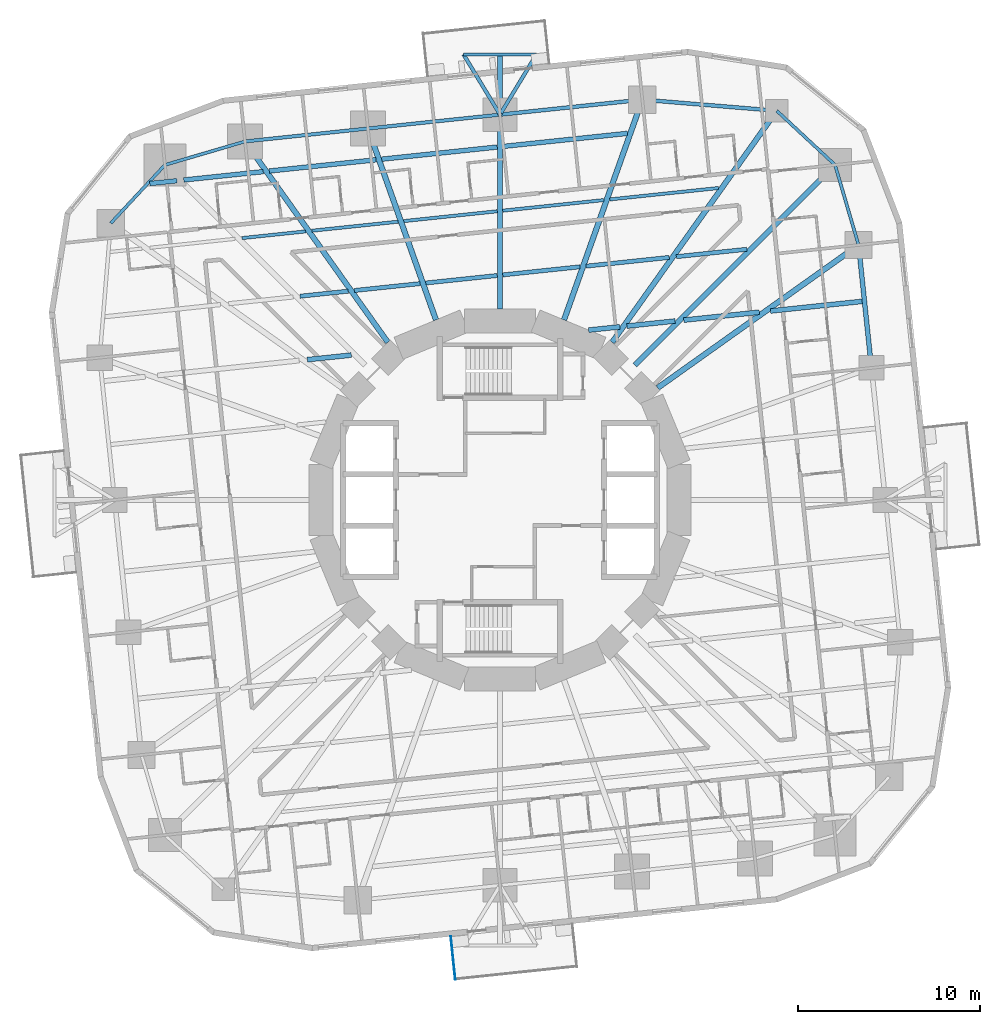
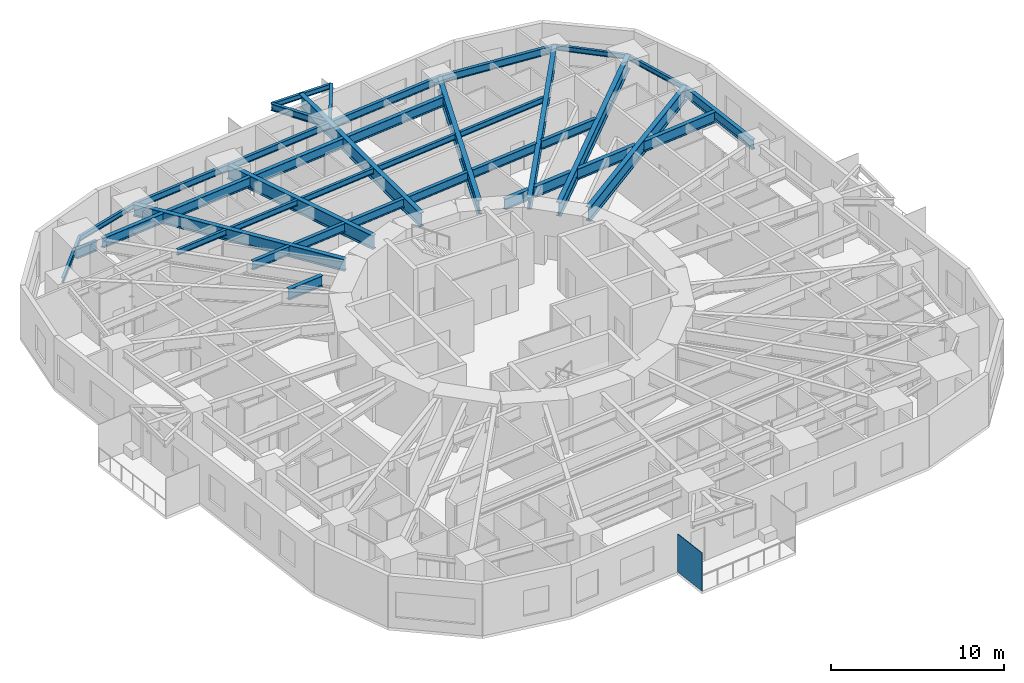
# One storey, part 3 of 13: 40 beams, 1 plate.
"""IFC4 building model written with IfcOpenShell, lengths in metres."""

from ifc_helpers import new_model, si_unit, direction, frame, origin, origin_2d, place, context, subcontext, project, spatial, rectangle, i_section, extrude, material, layer, layer_set, material_profile, profile_set, type_object, element, save


model = new_model("IFC4")

# Units and contexts
model_context = context("Model", 3, precision=1e-05, world=origin(), true_north=direction((0.0, 1.0)))
body_context = subcontext(model_context, "Body", "Model", "MODEL_VIEW")
ifc_project = project(units=[si_unit("LENGTHUNIT", "METRE"), si_unit("AREAUNIT", "SQUARE_METRE"), si_unit("VOLUMEUNIT", "CUBIC_METRE"), si_unit("PLANEANGLEUNIT", "RADIAN"), si_unit("MASSUNIT", "GRAM", prefix="KILO")], contexts=[model_context])

# Site, building, storey
site_placement = place(None, origin())
site = spatial("IfcSite", under=ifc_project, at=site_placement, CompositionType="ELEMENT")
building_placement = place(site_placement, origin())
building = spatial("IfcBuilding", under=site, at=building_placement, Name="Nakasero Lantern House", CompositionType="ELEMENT")
storey_placement = place(building_placement, frame((0.0, 0.0, 79.75)))
storey = spatial("IfcBuildingStorey", under=building, at=storey_placement, Name="L19", CompositionType="ELEMENT", Elevation=79.75)

# Beams
ifc_material_1 = material(Name="Steel S355", Category="steel")
ifc_material_profile_1 = material_profile(ifc_material_1, i_section(OverallWidth=0.199462890625, OverallDepth=0.491943359375, WebThickness=0.01806640625, FlangeThickness=0.031982421875, FilletRadius=0.01025390625, at=origin_2d()), Name="UB 457x191x161")
ifc_profile_set_1 = profile_set([ifc_material_profile_1], Name="Steel S355")
beam_type_1 = type_object("IfcBeamType", Name="Balcony splay beam UB 457x191x161", PredefinedType="BEAM", material=ifc_profile_set_1)
for number, where, z_axis, x_axis, name in (
    (1, (0.0, 21.11572265625, 3.404052734375), (-0.518296107317, 0.855201230787, 0.0), (-0.855201230787, -0.518296107317, 0.0), "Balcony splay beam L20 B2-C09A"),
    (2, (0.0, 21.11572265625, 3.404052734375), (0.518296107317, 0.855201230787, 0.0), (-0.855201230787, 0.518296107317, 0.0), "Balcony splay beam L20 B2-C09B"),
):
    element("IfcBeam", number, at=place(storey_placement, frame(where, z_axis=z_axis, x_axis=x_axis)), inside=storey, type_object=beam_type_1, Name=name, PredefinedType="BEAM", context=body_context, shape_type="SweptSolid", body=[
        extrude(i_section(OverallWidth=0.199462890625, OverallDepth=0.491943359375, WebThickness=0.01806640625, FlangeThickness=0.031982421875, FilletRadius=0.01025390625, at=origin_2d()), origin(), (0.0, 0.0, 1.0), 3.85888671875),
    ])
ifc_material_2 = material(Name="Steel S355", Category="steel")
ifc_material_profile_2 = material_profile(ifc_material_2, i_section(OverallWidth=0.17138671875, OverallDepth=0.35498046875, WebThickness=0.00732421875, FlangeThickness=0.011474609375, FilletRadius=0.01025390625, at=origin_2d()), Name="UB 356x171x51")
ifc_profile_set_2 = profile_set([ifc_material_profile_2], Name="Steel S355")
beam_type_2 = type_object("IfcBeamType", Name="Balcony tie beam UB 356x171x51", PredefinedType="BEAM", material=ifc_profile_set_2)
beam_1_placement = place(storey_placement, frame((-2.0, 24.415771484375, 3.472412109375), z_axis=(1.0, 0.0, 0.0), x_axis=(0.0, 1.0, 0.0)))
element("IfcBeam", 3, at=beam_1_placement, inside=storey, type_object=beam_type_2, Name="Balcony tie beam L20 B2-C09", PredefinedType="BEAM", context=body_context, shape_type="SweptSolid", body=[
    extrude(i_section(OverallWidth=0.17138671875, OverallDepth=0.35498046875, WebThickness=0.00732421875, FlangeThickness=0.011474609375, FilletRadius=0.01025390625, at=origin_2d()), origin(), (0.0, 0.0, 1.0), 4.0),
])
ifc_material_3 = material(Name="Steel S355", Category="steel")
ifc_material_profile_3 = material_profile(ifc_material_3, i_section(OverallWidth=0.177978515625, OverallDepth=0.406494140625, WebThickness=0.0078125, FlangeThickness=0.0126953125, FilletRadius=0.01025390625, at=origin_2d()), Name="UB 406x178x60")
ifc_profile_set_3 = profile_set([ifc_material_profile_3], Name="Steel S355")
beam_type_3 = type_object("IfcBeamType", Name="Infill beam UB 406x178x60", PredefinedType="JOIST", material=ifc_profile_set_3)
beam_2_placement = place(storey_placement, frame((-14.1435546875, 14.35009765625, 3.44677734375), z_axis=(0.994521415391, 0.104533029842, 0.0), x_axis=(-0.104533029842, 0.994521415391, 0.0)))
element("IfcBeam", 4, at=beam_2_placement, inside=storey, type_object=beam_type_3, Name="Infill beam L20 12.3", PredefinedType="JOIST", context=body_context, shape_type="SweptSolid", body=[
    extrude(i_section(OverallWidth=0.177978515625, OverallDepth=0.406494140625, WebThickness=0.0078125, FlangeThickness=0.0126953125, FilletRadius=0.01025390625, at=origin_2d()), origin(), (0.0, 0.0, 1.0), 3.517333984375),
])
beam_3_placement = place(storey_placement, frame((-10.3115234375, 14.7529296875, 3.44677734375), z_axis=(0.994523439889, 0.104513767091, 0.0), x_axis=(-0.104513767091, 0.994523439889, 0.0)))
element("IfcBeam", 5, at=beam_3_placement, inside=storey, type_object=beam_type_3, Name="Infill beam L20 12.4", PredefinedType="JOIST", context=body_context, shape_type="SweptSolid", body=[
    extrude(i_section(OverallWidth=0.177978515625, OverallDepth=0.406494140625, WebThickness=0.0078125, FlangeThickness=0.0126953125, FilletRadius=0.01025390625, at=origin_2d()), origin(), (0.0, 0.0, 1.0), 4.756103515625),
])
beam_4_placement = place(storey_placement, frame((-5.2744140625, 15.282470703125, 3.44677734375), z_axis=(0.994522574566, 0.104522000929, 0.0), x_axis=(-0.104522000929, 0.994522574566, 0.0)))
element("IfcBeam", 6, at=beam_4_placement, inside=storey, type_object=beam_type_3, Name="Infill beam L20 12.5", PredefinedType="JOIST", context=body_context, shape_type="SweptSolid", body=[
    extrude(i_section(OverallWidth=0.177978515625, OverallDepth=0.406494140625, WebThickness=0.0078125, FlangeThickness=0.0126953125, FilletRadius=0.01025390625, at=origin_2d()), origin(), (0.0, 0.0, 1.0), 5.15283203125),
])
beam_5_placement = place(storey_placement, frame((0.14990234375, 15.8525390625, 3.44677734375), z_axis=(0.994524188375, 0.104506644464, 0.0), x_axis=(-0.104506644464, 0.994524188375, 0.0)))
element("IfcBeam", 7, at=beam_5_placement, inside=storey, type_object=beam_type_3, Name="Infill beam L20 12.6", PredefinedType="JOIST", context=body_context, shape_type="SweptSolid", body=[
    extrude(i_section(OverallWidth=0.177978515625, OverallDepth=0.406494140625, WebThickness=0.0078125, FlangeThickness=0.0126953125, FilletRadius=0.01025390625, at=origin_2d()), origin(), (0.0, 0.0, 1.0), 5.564697265625),
])
beam_6_placement = place(storey_placement, frame((6.014892578125, 16.468994140625, 3.44677734375), z_axis=(0.994521729164, 0.104530044579, 0.0), x_axis=(-0.104530044579, 0.994521729164, 0.0)))
element("IfcBeam", 8, at=beam_6_placement, inside=storey, type_object=beam_type_3, Name="Infill beam L20 12.7", PredefinedType="JOIST", context=body_context, shape_type="SweptSolid", body=[
    extrude(i_section(OverallWidth=0.177978515625, OverallDepth=0.406494140625, WebThickness=0.0078125, FlangeThickness=0.0126953125, FilletRadius=0.01025390625, at=origin_2d()), origin(), (0.0, 0.0, 1.0), 5.99560546875),
])
ifc_material_4 = material(Name="Steel S355", Category="steel")
ifc_material_profile_4 = material_profile(ifc_material_4, i_section(OverallWidth=0.22900390625, OverallDepth=0.6123046875, WebThickness=0.011962890625, FlangeThickness=0.01953125, FilletRadius=0.0126953125, at=origin_2d()), Name="UB 610x229x125")
ifc_profile_set_4 = profile_set([ifc_material_profile_4], Name="Steel S355")
beam_type_4 = type_object("IfcBeamType", Name="Infill beam UB 610x229x125", PredefinedType="JOIST", material=ifc_profile_set_4)
beam_7_placement = place(storey_placement, frame((-10.958984375, 11.165771484375, 3.343994140625), z_axis=(0.994526079282, 0.104488648322, 0.0), x_axis=(-0.104488648322, 0.994526079282, 0.0)))
element("IfcBeam", 9, at=beam_7_placement, inside=storey, type_object=beam_type_4, Name="Infill beam L20 11.3", PredefinedType="JOIST", context=body_context, shape_type="SweptSolid", body=[
    extrude(i_section(OverallWidth=0.22900390625, OverallDepth=0.6123046875, WebThickness=0.011962890625, FlangeThickness=0.01953125, FilletRadius=0.0126953125, at=origin_2d()), origin(), (0.0, 0.0, 1.0), 2.65673828125),
])
beam_8_placement = place(storey_placement, frame((-7.983154296875, 11.478515625, 3.343994140625), z_axis=(0.994523507044, 0.104513128058, 0.0), x_axis=(-0.104513128058, 0.994523507044, 0.0)))
element("IfcBeam", 10, at=beam_8_placement, inside=storey, type_object=beam_type_4, Name="Infill beam L20 11.4", PredefinedType="JOIST", context=body_context, shape_type="SweptSolid", body=[
    extrude(i_section(OverallWidth=0.22900390625, OverallDepth=0.6123046875, WebThickness=0.011962890625, FlangeThickness=0.01953125, FilletRadius=0.0126953125, at=origin_2d()), origin(), (0.0, 0.0, 1.0), 3.627685546875),
])
beam_9_placement = place(storey_placement, frame((-4.068359375, 11.889892578125, 3.343994140625), z_axis=(0.994521399206, 0.104533183829, 0.0), x_axis=(-0.104533183829, 0.994521399206, 0.0)))
element("IfcBeam", 11, at=beam_9_placement, inside=storey, type_object=beam_type_4, Name="Infill beam L20 11.5", PredefinedType="JOIST", context=body_context, shape_type="SweptSolid", body=[
    extrude(i_section(OverallWidth=0.22900390625, OverallDepth=0.6123046875, WebThickness=0.011962890625, FlangeThickness=0.01953125, FilletRadius=0.0126953125, at=origin_2d()), origin(), (0.0, 0.0, 1.0), 3.93994140625),
])
beam_10_placement = place(storey_placement, frame((0.14990234375, 12.333251953125, 3.343994140625), z_axis=(0.994521465317, 0.104532554847, 0.0), x_axis=(-0.104532554847, 0.994521465317, 0.0)))
element("IfcBeam", 12, at=beam_10_placement, inside=storey, type_object=beam_type_4, Name="Infill beam L20 11.6", PredefinedType="JOIST", context=body_context, shape_type="SweptSolid", body=[
    extrude(i_section(OverallWidth=0.22900390625, OverallDepth=0.6123046875, WebThickness=0.011962890625, FlangeThickness=0.01953125, FilletRadius=0.0126953125, at=origin_2d()), origin(), (0.0, 0.0, 1.0), 4.2578125),
])
beam_11_placement = place(storey_placement, frame((4.71484375, 12.81298828125, 3.343994140625), z_axis=(0.994522952874, 0.104518401282, 0.0), x_axis=(-0.104518401282, 0.994522952874, 0.0)))
element("IfcBeam", 13, at=beam_11_placement, inside=storey, type_object=beam_type_4, Name="Infill beam L20 11.7", PredefinedType="JOIST", context=body_context, shape_type="SweptSolid", body=[
    extrude(i_section(OverallWidth=0.22900390625, OverallDepth=0.6123046875, WebThickness=0.011962890625, FlangeThickness=0.01953125, FilletRadius=0.0126953125, at=origin_2d()), origin(), (0.0, 0.0, 1.0), 4.5830078125),
])
beam_12_placement = place(storey_placement, frame((9.66064453125, 13.332763671875, 3.343994140625), z_axis=(0.99451886442, 0.10455729679, 0.0), x_axis=(-0.10455729679, 0.99451886442, 0.0)))
element("IfcBeam", 14, at=beam_12_placement, inside=storey, type_object=beam_type_4, Name="Infill beam L20 11.8", PredefinedType="JOIST", context=body_context, shape_type="SweptSolid", body=[
    extrude(i_section(OverallWidth=0.22900390625, OverallDepth=0.6123046875, WebThickness=0.011962890625, FlangeThickness=0.01953125, FilletRadius=0.0126953125, at=origin_2d()), origin(), (0.0, 0.0, 1.0), 3.8876953125),
])
ifc_material_5 = material(Name="Steel S355", Category="steel")
ifc_material_profile_5 = material_profile(ifc_material_5, i_section(OverallWidth=0.255859375, OverallDepth=0.69287109375, WebThickness=0.014404296875, FlangeThickness=0.023681640625, FilletRadius=0.01513671875, at=origin_2d()), Name="UB 686x254x170")
ifc_profile_set_5 = profile_set([ifc_material_profile_5], Name="Steel S355")
beam_type_5 = type_object("IfcBeamType", Name="Infill beam UB 686x254x170", PredefinedType="JOIST", material=ifc_profile_set_5)
beam_13_placement = place(storey_placement, frame((-19.190673828125, 17.339111328125, 3.303466796875), z_axis=(0.994535800288, 0.104396082038, 0.0), x_axis=(-0.104396082038, 0.994535800288, 0.0)))
element("IfcBeam", 15, at=beam_13_placement, inside=storey, type_object=beam_type_5, Name="Infill beam L20 13.1", PredefinedType="JOIST", context=body_context, shape_type="SweptSolid", body=[
    extrude(i_section(OverallWidth=0.255859375, OverallDepth=0.69287109375, WebThickness=0.014404296875, FlangeThickness=0.023681640625, FilletRadius=0.01513671875, at=origin_2d()), origin(), (0.0, 0.0, 1.0), 1.49658203125),
])
beam_14_placement = place(storey_placement, frame((-17.328125, 17.53466796875, 3.303466796875), z_axis=(0.994518584312, 0.104559961062, 0.0), x_axis=(-0.104559961062, 0.994518584312, 0.0)))
element("IfcBeam", 16, at=beam_14_placement, inside=storey, type_object=beam_type_5, Name="Infill beam L20 13.2", PredefinedType="JOIST", context=body_context, shape_type="SweptSolid", body=[
    extrude(i_section(OverallWidth=0.255859375, OverallDepth=0.69287109375, WebThickness=0.014404296875, FlangeThickness=0.023681640625, FilletRadius=0.01513671875, at=origin_2d()), origin(), (0.0, 0.0, 1.0), 4.3779296875),
])
beam_15_placement = place(storey_placement, frame((-12.64013671875, 18.027587890625, 3.303466796875), z_axis=(0.994524304789, 0.104505536616, 0.0), x_axis=(-0.104505536616, 0.994524304789, 0.0)))
element("IfcBeam", 17, at=beam_15_placement, inside=storey, type_object=beam_type_5, Name="Infill beam L20 13.3", PredefinedType="JOIST", context=body_context, shape_type="SweptSolid", body=[
    extrude(i_section(OverallWidth=0.255859375, OverallDepth=0.69287109375, WebThickness=0.014404296875, FlangeThickness=0.023681640625, FilletRadius=0.01513671875, at=origin_2d()), origin(), (0.0, 0.0, 1.0), 5.884765625),
])
beam_16_placement = place(storey_placement, frame((-6.480712890625, 18.6748046875, 3.303466796875), z_axis=(0.994519733917, 0.104549026056, 0.0), x_axis=(-0.104549026056, 0.994519733917, 0.0)))
element("IfcBeam", 18, at=beam_16_placement, inside=storey, type_object=beam_type_5, Name="Infill beam L20 13.4", PredefinedType="JOIST", context=body_context, shape_type="SweptSolid", body=[
    extrude(i_section(OverallWidth=0.255859375, OverallDepth=0.69287109375, WebThickness=0.014404296875, FlangeThickness=0.023681640625, FilletRadius=0.01513671875, at=origin_2d()), origin(), (0.0, 0.0, 1.0), 6.36572265625),
])
beam_17_placement = place(storey_placement, frame((0.14990234375, 19.371826171875, 3.303466796875), z_axis=(0.994522182542, 0.10452573096, 0.0), x_axis=(-0.10452573096, 0.994522182542, 0.0)))
element("IfcBeam", 19, at=beam_17_placement, inside=storey, type_object=beam_type_5, Name="Infill beam L20 13.5", PredefinedType="JOIST", context=body_context, shape_type="SweptSolid", body=[
    extrude(i_section(OverallWidth=0.255859375, OverallDepth=0.69287109375, WebThickness=0.014404296875, FlangeThickness=0.023681640625, FilletRadius=0.01513671875, at=origin_2d()), origin(), (0.0, 0.0, 1.0), 6.87158203125),
])
ifc_material_6 = material(Name="Steel S355", Category="steel")
ifc_material_profile_6 = material_profile(ifc_material_6, i_section(OverallWidth=0.2666015625, OverallDepth=0.76220703125, WebThickness=0.014404296875, FlangeThickness=0.021484375, FilletRadius=0.0166015625, at=origin_2d()), Name="UB 762x267x173")
ifc_profile_set_6 = profile_set([ifc_material_profile_6], Name="Steel S355")
beam_type_6 = type_object("IfcBeamType", Name="Infill beam UB 762x267x173", PredefinedType="JOIST", material=ifc_profile_set_6)
beam_18_placement = place(storey_placement, frame((-10.5537109375, 7.68896484375, 3.268798828125), z_axis=(0.99452700398, 0.104479846642, 0.0), x_axis=(-0.104479846642, 0.99452700398, 0.0)))
element("IfcBeam", 20, at=beam_18_placement, inside=storey, type_object=beam_type_6, Name="Infill beam L20 10.3", PredefinedType="JOIST", context=body_context, shape_type="SweptSolid", body=[
    extrude(i_section(OverallWidth=0.2666015625, OverallDepth=0.76220703125, WebThickness=0.014404296875, FlangeThickness=0.021484375, FilletRadius=0.0166015625, at=origin_2d()), origin(), (0.0, 0.0, 1.0), 2.41845703125),
])
beam_19_placement = place(storey_placement, frame((4.85498046875, 9.30859375, 3.268798828125), z_axis=(0.994529501552, 0.104456069922, 0.0), x_axis=(-0.104456069922, 0.994529501552, 0.0)))
element("IfcBeam", 21, at=beam_19_placement, inside=storey, type_object=beam_type_6, Name="Infill beam L20 10.4", PredefinedType="JOIST", context=body_context, shape_type="SweptSolid", body=[
    extrude(i_section(OverallWidth=0.2666015625, OverallDepth=0.76220703125, WebThickness=0.014404296875, FlangeThickness=0.021484375, FilletRadius=0.0166015625, at=origin_2d()), origin(), (0.0, 0.0, 1.0), 1.72265625),
])
beam_20_placement = place(storey_placement, frame((6.955810546875, 9.529296875, 3.268798828125), z_axis=(0.994521575627, 0.104531505358, 0.0), x_axis=(-0.104531505358, 0.994521575627, 0.0)))
element("IfcBeam", 22, at=beam_20_placement, inside=storey, type_object=beam_type_6, Name="Infill beam L20 10.5", PredefinedType="JOIST", context=body_context, shape_type="SweptSolid", body=[
    extrude(i_section(OverallWidth=0.2666015625, OverallDepth=0.76220703125, WebThickness=0.014404296875, FlangeThickness=0.021484375, FilletRadius=0.0166015625, at=origin_2d()), origin(), (0.0, 0.0, 1.0), 2.6533203125),
])
beam_21_placement = place(storey_placement, frame((10.068603515625, 9.8564453125, 3.268798828125), z_axis=(0.994519573184, 0.104550555012, 0.0), x_axis=(-0.104550555012, 0.994519573184, 0.0)))
element("IfcBeam", 23, at=beam_21_placement, inside=storey, type_object=beam_type_6, Name="Infill beam L20 10.6", PredefinedType="JOIST", context=body_context, shape_type="SweptSolid", body=[
    extrude(i_section(OverallWidth=0.2666015625, OverallDepth=0.76220703125, WebThickness=0.014404296875, FlangeThickness=0.021484375, FilletRadius=0.0166015625, at=origin_2d()), origin(), (0.0, 0.0, 1.0), 4.166015625),
])
beam_22_placement = place(storey_placement, frame((14.8251953125, 10.3564453125, 3.268798828125), z_axis=(0.994522938326, 0.104518539716, 0.0), x_axis=(-0.104518539716, 0.994522938326, 0.0)))
element("IfcBeam", 24, at=beam_22_placement, inside=storey, type_object=beam_type_6, Name="Infill beam L20 10.7", PredefinedType="JOIST", context=body_context, shape_type="SweptSolid", body=[
    extrude(i_section(OverallWidth=0.2666015625, OverallDepth=0.76220703125, WebThickness=0.014404296875, FlangeThickness=0.021484375, FilletRadius=0.0166015625, at=origin_2d()), origin(), (0.0, 0.0, 1.0), 5.04541015625),
])
ifc_material_7 = material(Name="Steel S355", Category="steel")
ifc_material_profile_7 = material_profile(ifc_material_7, i_section(OverallWidth=0.300048828125, OverallDepth=0.97998046875, WebThickness=0.0166015625, FlangeThickness=0.02587890625, FilletRadius=0.030029296875, at=origin_2d()), Name="UB 1016x305x249")
ifc_profile_set_7 = profile_set([ifc_material_profile_7], Name="Steel S355")
beam_type_7 = type_object("IfcBeamType", Name="Primary beam UB 1016x305x249, span 12 to 15 m", PredefinedType="BEAM", material=ifc_profile_set_7)
beam_23_placement = place(storey_placement, frame((7.79931640625, 21.935302734375, 3.159912109375), z_axis=(-0.335017564047, -0.942211882636, 0.0), x_axis=(0.942211882636, -0.335017564047, 0.0)))
element("IfcBeam", 25, at=beam_23_placement, inside=storey, type_object=beam_type_7, Name="Primary beam L20 B2-C08", PredefinedType="BEAM", context=body_context, shape_type="SweptSolid", body=[
    extrude(i_section(OverallWidth=0.300048828125, OverallDepth=0.97998046875, WebThickness=0.0166015625, FlangeThickness=0.02587890625, FilletRadius=0.030029296875, at=origin_2d()), origin(), (0.0, 0.0, 1.0), 12.80908203125),
])
ifc_material_8 = material(Name="Steel S355", Category="steel")
ifc_material_profile_8 = material_profile(ifc_material_8, i_section(OverallWidth=0.300048828125, OverallDepth=0.97998046875, WebThickness=0.0166015625, FlangeThickness=0.02587890625, FilletRadius=0.030029296875, at=origin_2d()), Name="UB 1016x305x249")
ifc_profile_set_8 = profile_set([ifc_material_profile_8], Name="Steel S355")
beam_type_8 = type_object("IfcBeamType", Name="Primary beam UB 1016x305x249, span 9 to 12 m", PredefinedType="BEAM", material=ifc_profile_set_8)
beam_24_placement = place(storey_placement, frame((-7.2373046875, 20.35498046875, 3.159912109375), z_axis=(0.335009234979, -0.942214844119, 0.0), x_axis=(0.942214844119, 0.335009234979, 0.0)))
element("IfcBeam", 26, at=beam_24_placement, inside=storey, type_object=beam_type_8, Name="Primary beam L20 B2-C10", PredefinedType="BEAM", context=body_context, shape_type="SweptSolid", body=[
    extrude(i_section(OverallWidth=0.300048828125, OverallDepth=0.97998046875, WebThickness=0.0166015625, FlangeThickness=0.02587890625, FilletRadius=0.030029296875, at=origin_2d()), origin(), (0.0, 0.0, 1.0), 11.1318359375),
])
ifc_material_9 = material(Name="Steel S355", Category="steel")
ifc_material_profile_9 = material_profile(ifc_material_9, i_section(OverallWidth=0.300048828125, OverallDepth=0.989990234375, WebThickness=0.0166015625, FlangeThickness=0.031005859375, FilletRadius=0.030029296875, at=origin_2d()), Name="UB 1016x305x272")
ifc_profile_set_9 = profile_set([ifc_material_profile_9], Name="Steel S355")
beam_type_9 = type_object("IfcBeamType", Name="Primary beam UB 1016x305x272, span over 15 m", PredefinedType="BEAM", material=ifc_profile_set_9)
beam_25_placement = place(storey_placement, frame((18.359375, 18.359375, 3.155029296875), z_axis=(-0.707106781187, -0.707106781187, 0.0), x_axis=(0.707106781187, -0.707106781187, 0.0)))
element("IfcBeam", 27, at=beam_25_placement, inside=storey, type_object=beam_type_9, Name="Primary beam L20 B2-C06", PredefinedType="BEAM", context=body_context, shape_type="SweptSolid", body=[
    extrude(i_section(OverallWidth=0.300048828125, OverallDepth=0.989990234375, WebThickness=0.0166015625, FlangeThickness=0.031005859375, FilletRadius=0.030029296875, at=origin_2d()), origin(), (0.0, 0.0, 1.0), 15.50634765625),
])
ifc_material_10 = material(Name="Steel S355", Category="steel")
ifc_material_profile_10 = material_profile(ifc_material_10, i_section(OverallWidth=0.300048828125, OverallDepth=1.0, WebThickness=0.01904296875, FlangeThickness=0.035888671875, FilletRadius=0.030029296875, at=origin_2d()), Name="UB 1016x305x314")
ifc_profile_set_10 = profile_set([ifc_material_profile_10], Name="Steel S355")
beam_type_10 = type_object("IfcBeamType", Name="Primary beam UB 1016x305x314, span 9 to 12 m", PredefinedType="BEAM", material=ifc_profile_set_10)
beam_26_placement = place(storey_placement, frame((0.0, 24.415771484375, 3.150146484375), z_axis=(0.0, -1.0, 0.0), x_axis=(1.0, 0.0, 0.0)))
element("IfcBeam", 28, at=beam_26_placement, inside=storey, type_object=beam_type_10, Name="Primary beam L20 B2-C09", PredefinedType="BEAM", context=body_context, shape_type="SweptSolid", body=[
    extrude(i_section(OverallWidth=0.300048828125, OverallDepth=1.0, WebThickness=0.01904296875, FlangeThickness=0.035888671875, FilletRadius=0.030029296875, at=origin_2d()), origin(), (0.0, 0.0, 1.0), 13.9580078125),
])
ifc_material_11 = material(Name="Steel S355", Category="steel")
ifc_material_profile_11 = material_profile(ifc_material_11, i_section(OverallWidth=0.302978515625, OverallDepth=1.015869140625, WebThickness=0.0244140625, FlangeThickness=0.0439453125, FilletRadius=0.030029296875, at=origin_2d()), Name="UB 1016x305x393")
ifc_profile_set_11 = profile_set([ifc_material_profile_11], Name="Steel S355")
beam_type_11 = type_object("IfcBeamType", Name="Primary beam UB 1016x305x393, span 12 to 15 m", PredefinedType="BEAM", material=ifc_profile_set_11)
beam_27_placement = place(storey_placement, frame((19.647216796875, 13.971435546875, 3.14208984375), z_axis=(-0.814948492976, -0.579533393168, 0.0), x_axis=(0.579533393168, -0.814948492976, 0.0)))
element("IfcBeam", 29, at=beam_27_placement, inside=storey, type_object=beam_type_11, Name="Primary beam L20 B2-C05", PredefinedType="BEAM", context=body_context, shape_type="SweptSolid", body=[
    extrude(i_section(OverallWidth=0.302978515625, OverallDepth=1.015869140625, WebThickness=0.0244140625, FlangeThickness=0.0439453125, FilletRadius=0.030029296875, at=origin_2d()), origin(), (0.0, 0.0, 1.0), 13.502685546875),
])
ifc_material_12 = material(Name="Steel S355", Category="steel")
ifc_material_profile_12 = material_profile(ifc_material_12, i_section(OverallWidth=0.29248046875, OverallDepth=0.8408203125, WebThickness=0.0146484375, FlangeThickness=0.02685546875, FilletRadius=0.017822265625, at=origin_2d()), Name="UB 838x292x194")
ifc_profile_set_12 = profile_set([ifc_material_profile_12], Name="Steel S355")
beam_type_12 = type_object("IfcBeamType", Name="Primary beam UB 838x292x194, span 12 to 15 m", PredefinedType="BEAM", material=ifc_profile_set_12)
beam_28_placement = place(storey_placement, frame((-13.971435546875, 19.647216796875, 3.229736328125), z_axis=(0.579533393168, -0.814948492976, 0.0), x_axis=(0.814948492976, 0.579533393168, 0.0)))
element("IfcBeam", 30, at=beam_28_placement, inside=storey, type_object=beam_type_12, Name="Primary beam L20 B2-C11", PredefinedType="BEAM", context=body_context, shape_type="SweptSolid", body=[
    extrude(i_section(OverallWidth=0.29248046875, OverallDepth=0.8408203125, WebThickness=0.0146484375, FlangeThickness=0.02685546875, FilletRadius=0.017822265625, at=origin_2d()), origin(), (0.0, 0.0, 1.0), 13.502685546875),
])
ifc_material_13 = material(Name="Steel S355", Category="steel")
ifc_material_profile_13 = material_profile(ifc_material_13, i_section(OverallWidth=0.29248046875, OverallDepth=0.8408203125, WebThickness=0.0146484375, FlangeThickness=0.02685546875, FilletRadius=0.017822265625, at=origin_2d()), Name="UB 838x292x194")
ifc_profile_set_13 = profile_set([ifc_material_profile_13], Name="Steel S355")
beam_type_13 = type_object("IfcBeamType", Name="Primary beam UB 838x292x194, span over 15 m", PredefinedType="BEAM", material=ifc_profile_set_13)
beam_29_placement = place(storey_placement, frame((15.16650390625, 21.327880859375, 3.229736328125), z_axis=(-0.57952911085, -0.814951538239, 0.0), x_axis=(0.814951538239, -0.57952911085, 0.0)))
element("IfcBeam", 31, at=beam_29_placement, inside=storey, type_object=beam_type_13, Name="Primary beam L20 B2-C07", PredefinedType="BEAM", context=body_context, shape_type="SweptSolid", body=[
    extrude(i_section(OverallWidth=0.29248046875, OverallDepth=0.8408203125, WebThickness=0.0146484375, FlangeThickness=0.02685546875, FilletRadius=0.017822265625, at=origin_2d()), origin(), (0.0, 0.0, 1.0), 15.564697265625),
])
ifc_material_14 = material(Name="Steel S355", Category="steel")
ifc_material_profile_14 = material_profile(ifc_material_14, i_section(OverallWidth=0.17138671875, OverallDepth=0.35498046875, WebThickness=0.00732421875, FlangeThickness=0.011474609375, FilletRadius=0.01025390625, at=origin_2d()), Name="UB 356x171x51")
ifc_profile_set_14 = profile_set([ifc_material_profile_14], Name="Steel S355")
beam_type_14 = type_object("IfcBeamType", Name="Ring beam UB 356x171x51", PredefinedType="BEAM", material=ifc_profile_set_14)
beam_30_placement = place(storey_placement, frame((19.647216796875, 13.971435546875, 3.472412109375), z_axis=(-0.28161710443, 0.959526865957, 0.0), x_axis=(-0.959526865957, -0.28161710443, 0.0)))
element("IfcBeam", 32, at=beam_30_placement, inside=storey, type_object=beam_type_14, Name="Ring beam L20 B2-C05", PredefinedType="BEAM", context=body_context, shape_type="SweptSolid", body=[
    extrude(i_section(OverallWidth=0.17138671875, OverallDepth=0.35498046875, WebThickness=0.00732421875, FlangeThickness=0.011474609375, FilletRadius=0.01025390625, at=origin_2d()), origin(), (0.0, 0.0, 1.0), 4.572998046875),
])
beam_31_placement = place(storey_placement, frame((18.359375, 18.359375, 3.472412109375), z_axis=(-0.732370510336, 0.680906333933, 0.0), x_axis=(-0.680906333933, -0.732370510336, 0.0)))
element("IfcBeam", 33, at=beam_31_placement, inside=storey, type_object=beam_type_14, Name="Ring beam L20 B2-C06", PredefinedType="BEAM", context=body_context, shape_type="SweptSolid", body=[
    extrude(i_section(OverallWidth=0.17138671875, OverallDepth=0.35498046875, WebThickness=0.00732421875, FlangeThickness=0.011474609375, FilletRadius=0.01025390625, at=origin_2d()), origin(), (0.0, 0.0, 1.0), 4.359619140625),
])
beam_32_placement = place(storey_placement, frame((-13.971435546875, 19.647216796875, 3.472412109375), z_axis=(-0.959526865957, -0.28161710443, 0.0), x_axis=(0.28161710443, -0.959526865957, 0.0)))
element("IfcBeam", 34, at=beam_32_placement, inside=storey, type_object=beam_type_14, Name="Ring beam L20 B2-C11", PredefinedType="BEAM", context=body_context, shape_type="SweptSolid", body=[
    extrude(i_section(OverallWidth=0.17138671875, OverallDepth=0.35498046875, WebThickness=0.00732421875, FlangeThickness=0.011474609375, FilletRadius=0.01025390625, at=origin_2d()), origin(), (0.0, 0.0, 1.0), 4.572998046875),
])
beam_33_placement = place(storey_placement, frame((-18.359375, 18.359375, 3.472412109375), z_axis=(-0.680906333933, -0.732370510336, 0.0), x_axis=(0.732370510336, -0.680906333933, 0.0)))
element("IfcBeam", 35, at=beam_33_placement, inside=storey, type_object=beam_type_14, Name="Ring beam L20 B2-C12", PredefinedType="BEAM", context=body_context, shape_type="SweptSolid", body=[
    extrude(i_section(OverallWidth=0.17138671875, OverallDepth=0.35498046875, WebThickness=0.00732421875, FlangeThickness=0.011474609375, FilletRadius=0.01025390625, at=origin_2d()), origin(), (0.0, 0.0, 1.0), 4.359619140625),
])
ifc_material_15 = material(Name="Steel S355", Category="steel")
ifc_material_profile_15 = material_profile(ifc_material_15, i_section(OverallWidth=0.18994140625, OverallDepth=0.453369140625, WebThickness=0.008544921875, FlangeThickness=0.0126953125, FilletRadius=0.01025390625, at=origin_2d()), Name="UB 457x191x67")
ifc_profile_set_15 = profile_set([ifc_material_profile_15], Name="Steel S355")
beam_type_15 = type_object("IfcBeamType", Name="Ring beam UB 457x191x67", PredefinedType="BEAM", material=ifc_profile_set_15)
beam_34_placement = place(storey_placement, frame((-7.2373046875, 20.35498046875, 3.42333984375), z_axis=(-0.994522233155, -0.10452524939, 0.0), x_axis=(0.10452524939, -0.994522233155, 0.0)))
element("IfcBeam", 36, at=beam_34_placement, inside=storey, type_object=beam_type_15, Name="Ring beam L20 B2-C10", PredefinedType="BEAM", context=body_context, shape_type="SweptSolid", body=[
    extrude(i_section(OverallWidth=0.18994140625, OverallDepth=0.453369140625, WebThickness=0.008544921875, FlangeThickness=0.0126953125, FilletRadius=0.01025390625, at=origin_2d()), origin(), (0.0, 0.0, 1.0), 6.771240234375),
])
ifc_material_16 = material(Name="Steel S355", Category="steel")
ifc_material_profile_16 = material_profile(ifc_material_16, i_section(OverallWidth=0.19140625, OverallDepth=0.4599609375, WebThickness=0.010009765625, FlangeThickness=0.01611328125, FilletRadius=0.01025390625, at=origin_2d()), Name="UB 457x191x82")
ifc_profile_set_16 = profile_set([ifc_material_profile_16], Name="Steel S355")
beam_type_16 = type_object("IfcBeamType", Name="Ring beam UB 457x191x82", PredefinedType="BEAM", material=ifc_profile_set_16)
beam_35_placement = place(storey_placement, frame((0.0, 21.11572265625, 3.419921875), z_axis=(-0.994520883746, -0.104538087767, 0.0), x_axis=(0.104538087767, -0.994520883746, 0.0)))
element("IfcBeam", 37, at=beam_35_placement, inside=storey, type_object=beam_type_16, Name="Ring beam L20 B2-C09", PredefinedType="BEAM", context=body_context, shape_type="SweptSolid", body=[
    extrude(i_section(OverallWidth=0.19140625, OverallDepth=0.4599609375, WebThickness=0.010009765625, FlangeThickness=0.01611328125, FilletRadius=0.01025390625, at=origin_2d()), origin(), (0.0, 0.0, 1.0), 7.277099609375),
])
ifc_material_17 = material(Name="Steel S355", Category="steel")
ifc_material_profile_17 = material_profile(ifc_material_17, i_section(OverallWidth=0.208740234375, OverallDepth=0.5283203125, WebThickness=0.009521484375, FlangeThickness=0.01318359375, FilletRadius=0.0126953125, at=origin_2d()), Name="UB 533x210x82")
ifc_profile_set_17 = profile_set([ifc_material_profile_17], Name="Steel S355")
beam_type_17 = type_object("IfcBeamType", Name="Ring beam UB 533x210x82", PredefinedType="BEAM", material=ifc_profile_set_17)
beam_36_placement = place(storey_placement, frame((15.16650390625, 21.327880859375, 3.3857421875), z_axis=(-0.996618261264, 0.08217080574, 0.0), x_axis=(-0.08217080574, -0.996618261264, 0.0)))
element("IfcBeam", 38, at=beam_36_placement, inside=storey, type_object=beam_type_17, Name="Ring beam L20 B2-C07", PredefinedType="BEAM", context=body_context, shape_type="SweptSolid", body=[
    extrude(i_section(OverallWidth=0.208740234375, OverallDepth=0.5283203125, WebThickness=0.009521484375, FlangeThickness=0.01318359375, FilletRadius=0.0126953125, at=origin_2d()), origin(), (0.0, 0.0, 1.0), 7.39208984375),
])
beam_37_placement = place(storey_placement, frame((7.79931640625, 21.935302734375, 3.3857421875), z_axis=(-0.994524030789, -0.104508144098, 0.0), x_axis=(0.104508144098, -0.994524030789, 0.0)))
element("IfcBeam", 39, at=beam_37_placement, inside=storey, type_object=beam_type_17, Name="Ring beam L20 B2-C08", PredefinedType="BEAM", context=body_context, shape_type="SweptSolid", body=[
    extrude(i_section(OverallWidth=0.208740234375, OverallDepth=0.5283203125, WebThickness=0.009521484375, FlangeThickness=0.01318359375, FilletRadius=0.0126953125, at=origin_2d()), origin(), (0.0, 0.0, 1.0), 7.84228515625),
])
ifc_material_18 = material(Name="Steel S355", Category="steel")
ifc_material_profile_18 = material_profile(ifc_material_18, i_section(OverallWidth=0.255859375, OverallDepth=0.69287109375, WebThickness=0.014404296875, FlangeThickness=0.023681640625, FilletRadius=0.01513671875, at=origin_2d()), Name="UB 686x254x170")
ifc_profile_set_18 = profile_set([ifc_material_profile_18], Name="Steel S355")
beam_type_18 = type_object("IfcBeamType", Name="Ring beam UB 686x254x170", PredefinedType="BEAM", material=ifc_profile_set_18)
beam_38_placement = place(storey_placement, frame((20.35498046875, 7.2373046875, 3.303466796875), z_axis=(-0.10452524939, 0.994522233155, 0.0), x_axis=(-0.994522233155, -0.10452524939, 0.0)))
element("IfcBeam", 40, at=beam_38_placement, inside=storey, type_object=beam_type_18, Name="Ring beam L20 B2-C04", PredefinedType="BEAM", context=body_context, shape_type="SweptSolid", body=[
    extrude(i_section(OverallWidth=0.255859375, OverallDepth=0.69287109375, WebThickness=0.014404296875, FlangeThickness=0.023681640625, FilletRadius=0.01513671875, at=origin_2d()), origin(), (0.0, 0.0, 1.0), 6.771240234375),
])

# Plate
ifc_material_19 = material(Name="Aluminium 6063-T6", Category="aluminium")
ifc_layer = layer(ifc_material_19, 0.0400390625)
ifc_layer_set = layer_set([ifc_layer], Name="Balcony screen 2400x2700")
plate_type = type_object("IfcPlateType", Name="Balcony screen 2400x2700", PredefinedType="SHEET", material=ifc_layer_set)
plate_placement = place(storey_placement, frame((-2.56982421875, -25.106201171875, 0.0), z_axis=(0.0, 0.0, 1.0), x_axis=(0.104528463268, -0.994521895368, 0.0)))
element("IfcPlate", 41, at=plate_placement, inside=storey, type_object=plate_type, Name="Balcony SCREEN L19 BAL3A", PredefinedType="SHEET", context=body_context, shape_type="SweptSolid", body=[
    extrude(rectangle(XDim=2.39990234375, YDim=0.0400390625, at=origin_2d()), origin(), (0.0, 0.0, 1.0), 2.699951171875),
])

save(model, "model.ifc")
